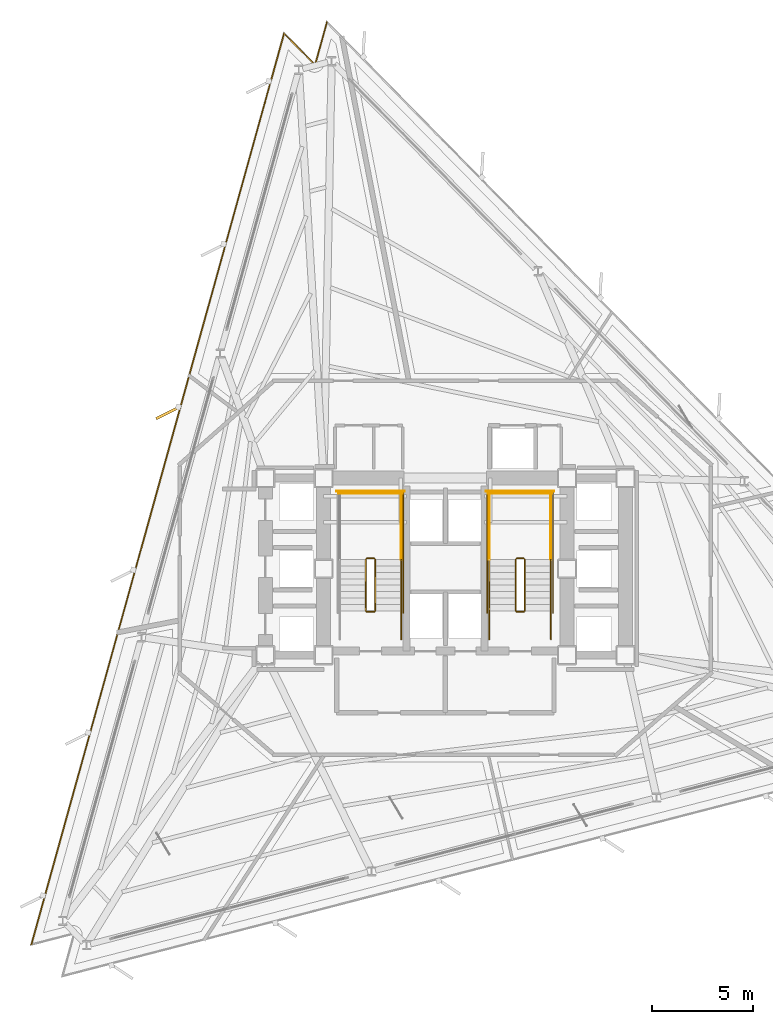
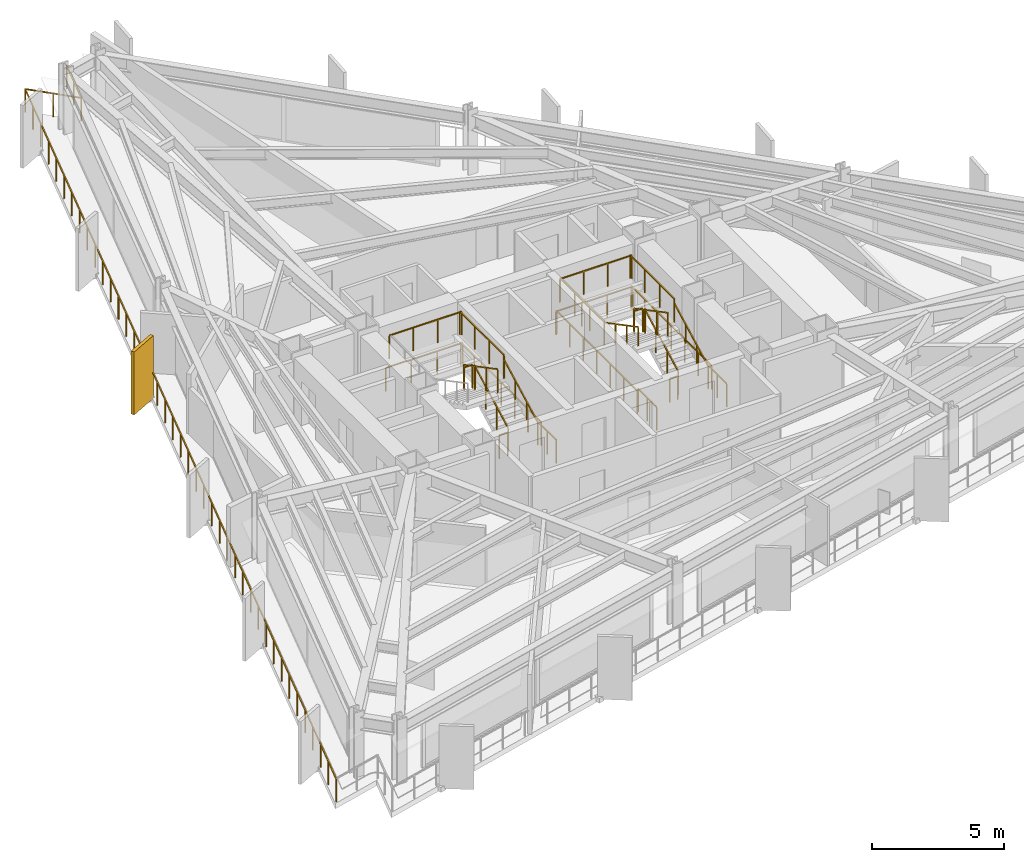
# One storey, part 10 of 11: 25 railings, 1 shading device.
"""IFC4 building model written with IfcOpenShell, lengths in metres."""

from ifc_helpers import new_model, si_unit, direction, frame, origin, origin_2d, place, context, subcontext, project, spatial, rectangle, extrude, material, layer, layer_set, type_object, element, save


model = new_model("IFC4")

# Units and contexts
model_context = context("Model", 3, precision=1e-05, world=origin(), true_north=direction((0.0, 1.0)))
body_context = subcontext(model_context, "Body", "Model", "MODEL_VIEW")
ifc_project = project(units=[si_unit("LENGTHUNIT", "METRE"), si_unit("AREAUNIT", "SQUARE_METRE"), si_unit("VOLUMEUNIT", "CUBIC_METRE"), si_unit("PLANEANGLEUNIT", "RADIAN"), si_unit("MASSUNIT", "GRAM", prefix="KILO")], contexts=[model_context])

# Site, building, storey
site_placement = place(None, origin())
site = spatial("IfcSite", under=ifc_project, at=site_placement, CompositionType="ELEMENT")
building_placement = place(site_placement, origin())
building = spatial("IfcBuilding", under=site, at=building_placement, Name="Rocaltana Carrier Exchange", CompositionType="ELEMENT")
storey_placement = place(building_placement, frame((0.0, 0.0, 79.52001953125)))
storey = spatial("IfcBuildingStorey", under=building, at=storey_placement, Name="L24", CompositionType="ELEMENT", Elevation=79.52001953125)

# Railings
ifc_material_1 = material(Name="Brushed Architectural Stainless Tube", Category="steel")
ifc_layer_1 = layer(ifc_material_1, 0.048095703125)
ifc_layer_set_1 = layer_set([ifc_layer_1], Name="Brushed Architectural Stainless Tube")
railing_type_1 = type_object("IfcRailingType", Name="Stair Wall Handrail 920", PredefinedType="HANDRAIL", material=ifc_layer_set_1)
for number, where, name in (
    (1, (-2.18994140625, -2.10009765625, 0.1689453125), "L24 ST-1 stair handrail 1"),
    (2, (5.25, -2.10009765625, 0.1689453125), "L24 ST-2 stair handrail 1"),
):
    element("IfcRailing", number, at=place(storey_placement, frame(where)), inside=storey, type_object=railing_type_1, Name=name, PredefinedType="HANDRAIL", context=body_context, shape_type="SweptSolid", body=[
        extrude(rectangle(XDim=0.048095703125, YDim=0.048095703125, at=origin_2d()), frame((0.0, 0.0, 0.8759765625), z_axis=(0.0, 0.884394423565, 0.466740295633), x_axis=(-1.0, 0.0, 0.0)), (0.0, 0.0, 1.0), 2.894775390625),
        extrude(rectangle(XDim=0.0419921875, YDim=0.0419921875, at=origin_2d()), origin(), (0.0, 0.0, 1.0), 0.851806640625),
        extrude(rectangle(XDim=0.0419921875, YDim=0.0419921875, at=origin_2d()), frame((0.0, 0.853271484375, 0.450439453125)), (0.0, 0.0, 1.0), 0.851806640625),
        extrude(rectangle(XDim=0.0419921875, YDim=0.0419921875, at=origin_2d()), frame((0.0, 1.706787109375, 0.900634765625)), (0.0, 0.0, 1.0), 0.851806640625),
        extrude(rectangle(XDim=0.0419921875, YDim=0.0419921875, at=origin_2d()), frame((0.0, 2.56005859375, 1.35107421875)), (0.0, 0.0, 1.0), 0.851806640625),
    ])
railing_1_placement = place(storey_placement, frame((2.18994140625, 0.4599609375, 1.68896484375)))
element("IfcRailing", 3, at=railing_1_placement, inside=storey, type_object=railing_type_1, Name="L24 ST-2 stair handrail 2", PredefinedType="HANDRAIL", context=body_context, shape_type="SweptSolid", body=[
    extrude(rectangle(XDim=0.048095703125, YDim=0.048095703125, at=origin_2d()), frame((0.0, 0.0, 0.8759765625), z_axis=(0.0, -0.884394423565, 0.466740295633), x_axis=(1.0, 0.0, 0.0)), (0.0, 0.0, 1.0), 2.894775390625),
    extrude(rectangle(XDim=0.0419921875, YDim=0.0419921875, at=origin_2d()), origin(), (0.0, 0.0, 1.0), 0.851806640625),
    extrude(rectangle(XDim=0.0419921875, YDim=0.0419921875, at=origin_2d()), frame((0.0, -0.853271484375, 0.450439453125)), (0.0, 0.0, 1.0), 0.851806640625),
    extrude(rectangle(XDim=0.0419921875, YDim=0.0419921875, at=origin_2d()), frame((0.0, -1.706787109375, 0.900634765625)), (0.0, 0.0, 1.0), 0.851806640625),
    extrude(rectangle(XDim=0.0419921875, YDim=0.0419921875, at=origin_2d()), frame((0.0, -2.56005859375, 1.35107421875)), (0.0, 0.0, 1.0), 0.851806640625),
])
ifc_material_2 = material(Name="Powder-Coated Aluminium 6063-T6", Category="aluminium")
ifc_layer_2 = layer(ifc_material_2, 0.048095703125)
ifc_layer_set_2 = layer_set([ifc_layer_2], Name="Powder-Coated Aluminium 6063-T6")
railing_type_2 = type_object("IfcRailingType", Name="Stair Well Guardrail 1100", PredefinedType="GUARDRAIL", material=ifc_layer_set_2)
railing_2_placement = place(storey_placement, frame((-3.489990234375, -2.10009765625, 0.1689453125)))
element("IfcRailing", 4, at=railing_2_placement, inside=storey, type_object=railing_type_2, Name="L24 ST-1 stair guard 1", PredefinedType="GUARDRAIL", context=body_context, shape_type="SweptSolid", body=[
    extrude(rectangle(XDim=0.048095703125, YDim=0.048095703125, at=origin_2d()), frame((0.0, 0.0, 1.076171875), z_axis=(0.0, 0.884394423565, 0.466740295633), x_axis=(-1.0, 0.0, 0.0)), (0.0, 0.0, 1.0), 2.894775390625),
    extrude(rectangle(XDim=0.0419921875, YDim=0.0419921875, at=origin_2d()), origin(), (0.0, 0.0, 1.0), 1.052001953125),
    extrude(rectangle(XDim=0.0419921875, YDim=0.0419921875, at=origin_2d()), frame((0.0, 0.853271484375, 0.450439453125)), (0.0, 0.0, 1.0), 1.052001953125),
    extrude(rectangle(XDim=0.0419921875, YDim=0.0419921875, at=origin_2d()), frame((0.0, 1.706787109375, 0.900634765625)), (0.0, 0.0, 1.0), 1.052001953125),
    extrude(rectangle(XDim=0.0419921875, YDim=0.0419921875, at=origin_2d()), frame((0.0, 2.56005859375, 1.35107421875)), (0.0, 0.0, 1.0), 1.052001953125),
])
railing_3_placement = place(storey_placement, frame((-3.5400390625, 0.510009765625, 1.52001953125)))
element("IfcRailing", 5, at=railing_3_placement, inside=storey, type_object=railing_type_2, Name="L24 ST-1 stair guard 2", PredefinedType="GUARDRAIL", context=body_context, shape_type="SweptSolid", body=[
    extrude(rectangle(XDim=0.048095703125, YDim=0.048095703125, at=origin_2d()), frame((0.0, 0.0, 1.076171875), z_axis=(-1.0, 0.0, 0.0), x_axis=(0.0, -1.0, 0.0)), (0.0, 0.0, 1.0), 0.35986328125),
    extrude(rectangle(XDim=0.0419921875, YDim=0.0419921875, at=origin_2d()), origin(), (0.0, 0.0, 1.0), 1.052001953125),
    extrude(rectangle(XDim=0.0419921875, YDim=0.0419921875, at=origin_2d()), frame((-0.35986328125, 0.0, 0.0)), (0.0, 0.0, 1.0), 1.052001953125),
])
railing_4_placement = place(storey_placement, frame((-2.18994140625, 0.4599609375, 1.52001953125)))
element("IfcRailing", 6, at=railing_4_placement, inside=storey, type_object=railing_type_2, Name="L24 ST-1 stair guard 3", PredefinedType="GUARDRAIL", context=body_context, shape_type="SweptSolid", body=[
    extrude(rectangle(XDim=0.048095703125, YDim=0.048095703125, at=origin_2d()), frame((0.0, 0.0, 1.076171875), z_axis=(0.0, 1.0, 0.0), x_axis=(-1.0, 0.0, 0.0)), (0.0, 0.0, 1.0), 3.340087890625),
    extrude(rectangle(XDim=0.0419921875, YDim=0.0419921875, at=origin_2d()), origin(), (0.0, 0.0, 1.0), 1.052001953125),
    extrude(rectangle(XDim=0.0419921875, YDim=0.0419921875, at=origin_2d()), frame((0.0, 1.11328125, 0.0)), (0.0, 0.0, 1.0), 1.052001953125),
    extrude(rectangle(XDim=0.0419921875, YDim=0.0419921875, at=origin_2d()), frame((0.0, 2.226806640625, 0.0)), (0.0, 0.0, 1.0), 1.052001953125),
    extrude(rectangle(XDim=0.0419921875, YDim=0.0419921875, at=origin_2d()), frame((0.0, 3.340087890625, 0.0)), (0.0, 0.0, 1.0), 1.052001953125),
])
railing_5_placement = place(storey_placement, frame((-2.139892578125, 3.75, 1.52001953125)))
element("IfcRailing", 7, at=railing_5_placement, inside=storey, type_object=railing_type_2, Name="L24 ST-1 stair guard 5", PredefinedType="GUARDRAIL", context=body_context, shape_type="SweptSolid", body=[
    extrude(rectangle(XDim=0.048095703125, YDim=0.048095703125, at=origin_2d()), frame((0.0, 0.0, 1.076171875), z_axis=(-1.0, 0.0, 0.0), x_axis=(0.0, -1.0, 0.0)), (0.0, 0.0, 1.0), 3.16015625),
    extrude(rectangle(XDim=0.0419921875, YDim=0.0419921875, at=origin_2d()), origin(), (0.0, 0.0, 1.0), 1.052001953125),
    extrude(rectangle(XDim=0.0419921875, YDim=0.0419921875, at=origin_2d()), frame((-1.053466796875, 0.0, 0.0)), (0.0, 0.0, 1.0), 1.052001953125),
    extrude(rectangle(XDim=0.0419921875, YDim=0.0419921875, at=origin_2d()), frame((-2.106689453125, 0.0, 0.0)), (0.0, 0.0, 1.0), 1.052001953125),
    extrude(rectangle(XDim=0.0419921875, YDim=0.0419921875, at=origin_2d()), frame((-3.16015625, 0.0, 0.0)), (0.0, 0.0, 1.0), 1.052001953125),
])
railing_6_placement = place(storey_placement, frame((-3.949951171875, 0.4599609375, 1.68896484375)))
element("IfcRailing", 8, at=railing_6_placement, inside=storey, type_object=railing_type_2, Name="L24 ST-1 stair guard 6", PredefinedType="GUARDRAIL", context=body_context, shape_type="SweptSolid", body=[
    extrude(rectangle(XDim=0.048095703125, YDim=0.048095703125, at=origin_2d()), frame((0.0, 0.0, 1.076171875), z_axis=(0.0, -0.884394423565, 0.466740295633), x_axis=(1.0, 0.0, 0.0)), (0.0, 0.0, 1.0), 2.894775390625),
    extrude(rectangle(XDim=0.0419921875, YDim=0.0419921875, at=origin_2d()), origin(), (0.0, 0.0, 1.0), 1.052001953125),
    extrude(rectangle(XDim=0.0419921875, YDim=0.0419921875, at=origin_2d()), frame((0.0, -0.853271484375, 0.450439453125)), (0.0, 0.0, 1.0), 1.052001953125),
    extrude(rectangle(XDim=0.0419921875, YDim=0.0419921875, at=origin_2d()), frame((0.0, -1.706787109375, 0.900634765625)), (0.0, 0.0, 1.0), 1.052001953125),
    extrude(rectangle(XDim=0.0419921875, YDim=0.0419921875, at=origin_2d()), frame((0.0, -2.56005859375, 1.35107421875)), (0.0, 0.0, 1.0), 1.052001953125),
])
railing_7_placement = place(storey_placement, frame((-3.5400390625, -2.14990234375, 0.0)))
element("IfcRailing", 9, at=railing_7_placement, inside=storey, type_object=railing_type_2, Name="L24 ST-1 stair guard 7", PredefinedType="GUARDRAIL", context=body_context, shape_type="SweptSolid", body=[
    extrude(rectangle(XDim=0.048095703125, YDim=0.048095703125, at=origin_2d()), frame((0.0, 0.0, 1.076171875), z_axis=(-1.0, 0.0, 0.0), x_axis=(0.0, -1.0, 0.0)), (0.0, 0.0, 1.0), 0.35986328125),
    extrude(rectangle(XDim=0.0419921875, YDim=0.0419921875, at=origin_2d()), origin(), (0.0, 0.0, 1.0), 1.052001953125),
    extrude(rectangle(XDim=0.0419921875, YDim=0.0419921875, at=origin_2d()), frame((-0.35986328125, 0.0, 0.0)), (0.0, 0.0, 1.0), 1.052001953125),
])
railing_8_placement = place(storey_placement, frame((-2.18994140625, -3.5, 0.0)))
element("IfcRailing", 10, at=railing_8_placement, inside=storey, type_object=railing_type_2, Name="L24 ST-1 stair guard 8", PredefinedType="GUARDRAIL", context=body_context, shape_type="SweptSolid", body=[
    extrude(rectangle(XDim=0.048095703125, YDim=0.048095703125, at=origin_2d()), frame((0.0, 0.0, 1.076171875), z_axis=(0.0, 1.0, 0.0), x_axis=(-1.0, 0.0, 0.0)), (0.0, 0.0, 1.0), 1.39990234375),
    extrude(rectangle(XDim=0.0419921875, YDim=0.0419921875, at=origin_2d()), origin(), (0.0, 0.0, 1.0), 1.052001953125),
    extrude(rectangle(XDim=0.0419921875, YDim=0.0419921875, at=origin_2d()), frame((0.0, 0.699951171875, 0.0)), (0.0, 0.0, 1.0), 1.052001953125),
    extrude(rectangle(XDim=0.0419921875, YDim=0.0419921875, at=origin_2d()), frame((0.0, 1.39990234375, 0.0)), (0.0, 0.0, 1.0), 1.052001953125),
])
railing_9_placement = place(storey_placement, frame((-2.090087890625, -2.199951171875, 0.0)))
element("IfcRailing", 11, at=railing_9_placement, inside=storey, type_object=railing_type_2, Name="L24 ST-1 stair guard 10", PredefinedType="GUARDRAIL", context=body_context, shape_type="SweptSolid", body=[
    extrude(rectangle(XDim=0.048095703125, YDim=0.048095703125, at=origin_2d()), frame((0.0, 0.0, 1.076171875), z_axis=(0.0, 1.0, 0.0), x_axis=(-1.0, 0.0, 0.0)), (0.0, 0.0, 1.0), 6.099853515625),
    extrude(rectangle(XDim=0.0419921875, YDim=0.0419921875, at=origin_2d()), origin(), (0.0, 0.0, 1.0), 1.052001953125),
    extrude(rectangle(XDim=0.0419921875, YDim=0.0419921875, at=origin_2d()), frame((0.0, 1.0166015625, 0.0)), (0.0, 0.0, 1.0), 1.052001953125),
    extrude(rectangle(XDim=0.0419921875, YDim=0.0419921875, at=origin_2d()), frame((0.0, 2.033203125, 0.0)), (0.0, 0.0, 1.0), 1.052001953125),
    extrude(rectangle(XDim=0.0419921875, YDim=0.0419921875, at=origin_2d()), frame((0.0, 3.0498046875, 0.0)), (0.0, 0.0, 1.0), 1.052001953125),
    extrude(rectangle(XDim=0.0419921875, YDim=0.0419921875, at=origin_2d()), frame((0.0, 4.066650390625, 0.0)), (0.0, 0.0, 1.0), 1.052001953125),
    extrude(rectangle(XDim=0.0419921875, YDim=0.0419921875, at=origin_2d()), frame((0.0, 5.083251953125, 0.0)), (0.0, 0.0, 1.0), 1.052001953125),
    extrude(rectangle(XDim=0.0419921875, YDim=0.0419921875, at=origin_2d()), frame((0.0, 6.099853515625, 0.0)), (0.0, 0.0, 1.0), 1.052001953125),
])
railing_10_placement = place(storey_placement, frame((-2.0400390625, 3.85009765625, 0.0)))
element("IfcRailing", 12, at=railing_10_placement, inside=storey, type_object=railing_type_2, Name="L24 ST-1 stair guard 12", PredefinedType="GUARDRAIL", context=body_context, shape_type="SweptSolid", body=[
    extrude(rectangle(XDim=0.048095703125, YDim=0.048095703125, at=origin_2d()), frame((0.0, 0.0, 1.076171875), z_axis=(-1.0, 0.0, 0.0), x_axis=(0.0, -1.0, 0.0)), (0.0, 0.0, 1.0), 3.35986328125),
    extrude(rectangle(XDim=0.0419921875, YDim=0.0419921875, at=origin_2d()), origin(), (0.0, 0.0, 1.0), 1.052001953125),
    extrude(rectangle(XDim=0.0419921875, YDim=0.0419921875, at=origin_2d()), frame((-1.119873046875, 0.0, 0.0)), (0.0, 0.0, 1.0), 1.052001953125),
    extrude(rectangle(XDim=0.0419921875, YDim=0.0419921875, at=origin_2d()), frame((-2.239990234375, 0.0, 0.0)), (0.0, 0.0, 1.0), 1.052001953125),
    extrude(rectangle(XDim=0.0419921875, YDim=0.0419921875, at=origin_2d()), frame((-3.35986328125, 0.0, 0.0)), (0.0, 0.0, 1.0), 1.052001953125),
])
railing_11_placement = place(storey_placement, frame((3.949951171875, -2.10009765625, 0.1689453125)))
element("IfcRailing", 13, at=railing_11_placement, inside=storey, type_object=railing_type_2, Name="L24 ST-2 stair guard 1", PredefinedType="GUARDRAIL", context=body_context, shape_type="SweptSolid", body=[
    extrude(rectangle(XDim=0.048095703125, YDim=0.048095703125, at=origin_2d()), frame((0.0, 0.0, 1.076171875), z_axis=(0.0, 0.884394423565, 0.466740295633), x_axis=(-1.0, 0.0, 0.0)), (0.0, 0.0, 1.0), 2.894775390625),
    extrude(rectangle(XDim=0.0419921875, YDim=0.0419921875, at=origin_2d()), origin(), (0.0, 0.0, 1.0), 1.052001953125),
    extrude(rectangle(XDim=0.0419921875, YDim=0.0419921875, at=origin_2d()), frame((0.0, 0.853271484375, 0.450439453125)), (0.0, 0.0, 1.0), 1.052001953125),
    extrude(rectangle(XDim=0.0419921875, YDim=0.0419921875, at=origin_2d()), frame((0.0, 1.706787109375, 0.900634765625)), (0.0, 0.0, 1.0), 1.052001953125),
    extrude(rectangle(XDim=0.0419921875, YDim=0.0419921875, at=origin_2d()), frame((0.0, 2.56005859375, 1.35107421875)), (0.0, 0.0, 1.0), 1.052001953125),
])
railing_12_placement = place(storey_placement, frame((3.89990234375, 0.510009765625, 1.52001953125)))
element("IfcRailing", 14, at=railing_12_placement, inside=storey, type_object=railing_type_2, Name="L24 ST-2 stair guard 2", PredefinedType="GUARDRAIL", context=body_context, shape_type="SweptSolid", body=[
    extrude(rectangle(XDim=0.048095703125, YDim=0.048095703125, at=origin_2d()), frame((0.0, 0.0, 1.076171875), z_axis=(-1.0, 0.0, 0.0), x_axis=(0.0, -1.0, 0.0)), (0.0, 0.0, 1.0), 0.35986328125),
    extrude(rectangle(XDim=0.0419921875, YDim=0.0419921875, at=origin_2d()), origin(), (0.0, 0.0, 1.0), 1.052001953125),
    extrude(rectangle(XDim=0.0419921875, YDim=0.0419921875, at=origin_2d()), frame((-0.35986328125, 0.0, 0.0)), (0.0, 0.0, 1.0), 1.052001953125),
])
for number, where, name in (
    (15, (5.25, 0.4599609375, 1.52001953125), "L24 ST-2 stair guard 3"),
    (16, (2.18994140625, 0.4599609375, 1.52001953125), "L24 ST-2 stair guard 4"),
):
    element("IfcRailing", number, at=place(storey_placement, frame(where)), inside=storey, type_object=railing_type_2, Name=name, PredefinedType="GUARDRAIL", context=body_context, shape_type="SweptSolid", body=[
        extrude(rectangle(XDim=0.048095703125, YDim=0.048095703125, at=origin_2d()), frame((0.0, 0.0, 1.076171875), z_axis=(0.0, 1.0, 0.0), x_axis=(-1.0, 0.0, 0.0)), (0.0, 0.0, 1.0), 3.340087890625),
        extrude(rectangle(XDim=0.0419921875, YDim=0.0419921875, at=origin_2d()), origin(), (0.0, 0.0, 1.0), 1.052001953125),
        extrude(rectangle(XDim=0.0419921875, YDim=0.0419921875, at=origin_2d()), frame((0.0, 1.11328125, 0.0)), (0.0, 0.0, 1.0), 1.052001953125),
        extrude(rectangle(XDim=0.0419921875, YDim=0.0419921875, at=origin_2d()), frame((0.0, 2.226806640625, 0.0)), (0.0, 0.0, 1.0), 1.052001953125),
        extrude(rectangle(XDim=0.0419921875, YDim=0.0419921875, at=origin_2d()), frame((0.0, 3.340087890625, 0.0)), (0.0, 0.0, 1.0), 1.052001953125),
    ])
railing_13_placement = place(storey_placement, frame((5.300048828125, 3.75, 1.52001953125)))
element("IfcRailing", 17, at=railing_13_placement, inside=storey, type_object=railing_type_2, Name="L24 ST-2 stair guard 5", PredefinedType="GUARDRAIL", context=body_context, shape_type="SweptSolid", body=[
    extrude(rectangle(XDim=0.048095703125, YDim=0.048095703125, at=origin_2d()), frame((0.0, 0.0, 1.076171875), z_axis=(-1.0, 0.0, 0.0), x_axis=(0.0, -1.0, 0.0)), (0.0, 0.0, 1.0), 3.16015625),
    extrude(rectangle(XDim=0.0419921875, YDim=0.0419921875, at=origin_2d()), origin(), (0.0, 0.0, 1.0), 1.052001953125),
    extrude(rectangle(XDim=0.0419921875, YDim=0.0419921875, at=origin_2d()), frame((-1.053466796875, 0.0, 0.0)), (0.0, 0.0, 1.0), 1.052001953125),
    extrude(rectangle(XDim=0.0419921875, YDim=0.0419921875, at=origin_2d()), frame((-2.106689453125, 0.0, 0.0)), (0.0, 0.0, 1.0), 1.052001953125),
    extrude(rectangle(XDim=0.0419921875, YDim=0.0419921875, at=origin_2d()), frame((-3.16015625, 0.0, 0.0)), (0.0, 0.0, 1.0), 1.052001953125),
])
railing_14_placement = place(storey_placement, frame((3.489990234375, 0.4599609375, 1.68896484375)))
element("IfcRailing", 18, at=railing_14_placement, inside=storey, type_object=railing_type_2, Name="L24 ST-2 stair guard 6", PredefinedType="GUARDRAIL", context=body_context, shape_type="SweptSolid", body=[
    extrude(rectangle(XDim=0.048095703125, YDim=0.048095703125, at=origin_2d()), frame((0.0, 0.0, 1.076171875), z_axis=(0.0, -0.884394423565, 0.466740295633), x_axis=(1.0, 0.0, 0.0)), (0.0, 0.0, 1.0), 2.894775390625),
    extrude(rectangle(XDim=0.0419921875, YDim=0.0419921875, at=origin_2d()), origin(), (0.0, 0.0, 1.0), 1.052001953125),
    extrude(rectangle(XDim=0.0419921875, YDim=0.0419921875, at=origin_2d()), frame((0.0, -0.853271484375, 0.450439453125)), (0.0, 0.0, 1.0), 1.052001953125),
    extrude(rectangle(XDim=0.0419921875, YDim=0.0419921875, at=origin_2d()), frame((0.0, -1.706787109375, 0.900634765625)), (0.0, 0.0, 1.0), 1.052001953125),
    extrude(rectangle(XDim=0.0419921875, YDim=0.0419921875, at=origin_2d()), frame((0.0, -2.56005859375, 1.35107421875)), (0.0, 0.0, 1.0), 1.052001953125),
])
railing_15_placement = place(storey_placement, frame((3.89990234375, -2.14990234375, 0.0)))
element("IfcRailing", 19, at=railing_15_placement, inside=storey, type_object=railing_type_2, Name="L24 ST-2 stair guard 7", PredefinedType="GUARDRAIL", context=body_context, shape_type="SweptSolid", body=[
    extrude(rectangle(XDim=0.048095703125, YDim=0.048095703125, at=origin_2d()), frame((0.0, 0.0, 1.076171875), z_axis=(-1.0, 0.0, 0.0), x_axis=(0.0, -1.0, 0.0)), (0.0, 0.0, 1.0), 0.35986328125),
    extrude(rectangle(XDim=0.0419921875, YDim=0.0419921875, at=origin_2d()), origin(), (0.0, 0.0, 1.0), 1.052001953125),
    extrude(rectangle(XDim=0.0419921875, YDim=0.0419921875, at=origin_2d()), frame((-0.35986328125, 0.0, 0.0)), (0.0, 0.0, 1.0), 1.052001953125),
])
for number, where, name in (
    (20, (5.25, -3.5, 0.0), "L24 ST-2 stair guard 8"),
    (21, (2.18994140625, -3.5, 0.0), "L24 ST-2 stair guard 9"),
):
    element("IfcRailing", number, at=place(storey_placement, frame(where)), inside=storey, type_object=railing_type_2, Name=name, PredefinedType="GUARDRAIL", context=body_context, shape_type="SweptSolid", body=[
        extrude(rectangle(XDim=0.048095703125, YDim=0.048095703125, at=origin_2d()), frame((0.0, 0.0, 1.076171875), z_axis=(0.0, 1.0, 0.0), x_axis=(-1.0, 0.0, 0.0)), (0.0, 0.0, 1.0), 1.39990234375),
        extrude(rectangle(XDim=0.0419921875, YDim=0.0419921875, at=origin_2d()), origin(), (0.0, 0.0, 1.0), 1.052001953125),
        extrude(rectangle(XDim=0.0419921875, YDim=0.0419921875, at=origin_2d()), frame((0.0, 0.699951171875, 0.0)), (0.0, 0.0, 1.0), 1.052001953125),
        extrude(rectangle(XDim=0.0419921875, YDim=0.0419921875, at=origin_2d()), frame((0.0, 1.39990234375, 0.0)), (0.0, 0.0, 1.0), 1.052001953125),
    ])
for number, where, name in (
    (22, (5.35009765625, -2.199951171875, 0.0), "L24 ST-2 stair guard 10"),
    (23, (2.090087890625, -2.199951171875, 0.0), "L24 ST-2 stair guard 11"),
):
    element("IfcRailing", number, at=place(storey_placement, frame(where)), inside=storey, type_object=railing_type_2, Name=name, PredefinedType="GUARDRAIL", context=body_context, shape_type="SweptSolid", body=[
        extrude(rectangle(XDim=0.048095703125, YDim=0.048095703125, at=origin_2d()), frame((0.0, 0.0, 1.076171875), z_axis=(0.0, 1.0, 0.0), x_axis=(-1.0, 0.0, 0.0)), (0.0, 0.0, 1.0), 6.099853515625),
        extrude(rectangle(XDim=0.0419921875, YDim=0.0419921875, at=origin_2d()), origin(), (0.0, 0.0, 1.0), 1.052001953125),
        extrude(rectangle(XDim=0.0419921875, YDim=0.0419921875, at=origin_2d()), frame((0.0, 1.0166015625, 0.0)), (0.0, 0.0, 1.0), 1.052001953125),
        extrude(rectangle(XDim=0.0419921875, YDim=0.0419921875, at=origin_2d()), frame((0.0, 2.033203125, 0.0)), (0.0, 0.0, 1.0), 1.052001953125),
        extrude(rectangle(XDim=0.0419921875, YDim=0.0419921875, at=origin_2d()), frame((0.0, 3.0498046875, 0.0)), (0.0, 0.0, 1.0), 1.052001953125),
        extrude(rectangle(XDim=0.0419921875, YDim=0.0419921875, at=origin_2d()), frame((0.0, 4.066650390625, 0.0)), (0.0, 0.0, 1.0), 1.052001953125),
        extrude(rectangle(XDim=0.0419921875, YDim=0.0419921875, at=origin_2d()), frame((0.0, 5.083251953125, 0.0)), (0.0, 0.0, 1.0), 1.052001953125),
        extrude(rectangle(XDim=0.0419921875, YDim=0.0419921875, at=origin_2d()), frame((0.0, 6.099853515625, 0.0)), (0.0, 0.0, 1.0), 1.052001953125),
    ])
railing_16_placement = place(storey_placement, frame((5.39990234375, 3.85009765625, 0.0)))
element("IfcRailing", 24, at=railing_16_placement, inside=storey, type_object=railing_type_2, Name="L24 ST-2 stair guard 12", PredefinedType="GUARDRAIL", context=body_context, shape_type="SweptSolid", body=[
    extrude(rectangle(XDim=0.048095703125, YDim=0.048095703125, at=origin_2d()), frame((0.0, 0.0, 1.076171875), z_axis=(-1.0, 0.0, 0.0), x_axis=(0.0, -1.0, 0.0)), (0.0, 0.0, 1.0), 3.35986328125),
    extrude(rectangle(XDim=0.0419921875, YDim=0.0419921875, at=origin_2d()), origin(), (0.0, 0.0, 1.0), 1.052001953125),
    extrude(rectangle(XDim=0.0419921875, YDim=0.0419921875, at=origin_2d()), frame((-1.119873046875, 0.0, 0.0)), (0.0, 0.0, 1.0), 1.052001953125),
    extrude(rectangle(XDim=0.0419921875, YDim=0.0419921875, at=origin_2d()), frame((-2.239990234375, 0.0, 0.0)), (0.0, 0.0, 1.0), 1.052001953125),
    extrude(rectangle(XDim=0.0419921875, YDim=0.0419921875, at=origin_2d()), frame((-3.35986328125, 0.0, 0.0)), (0.0, 0.0, 1.0), 1.052001953125),
])

# Shading device
ifc_material_3 = material(Name="Honed Bogota Sandstone & Concrete C45/55", Category="masonry")
ifc_layer_3 = layer(ifc_material_3, 0.139892578125)
ifc_layer_set_3 = layer_set([ifc_layer_3], Name="Honed Bogota Sandstone & Concrete C45/55")
shading_device_type = type_object("IfcShadingDeviceType", Name="Vertical Sandstone Shading Fin 1320x140", PredefinedType="USERDEFINED", material=ifc_layer_set_3)
shading_device_placement = place(storey_placement, frame((-13.786376953125, 7.751220703125, -0.1201171875), z_axis=(0.0, 0.0, 1.0), x_axis=(-0.894934361602, -0.44619781311, 0.0)))
element("IfcShadingDevice", 25, at=shading_device_placement, inside=storey, type_object=shading_device_type, Name="L24 Sandstone Vertical Fin F2-03", ObjectType="FIN", PredefinedType="USERDEFINED", context=body_context, shape_type="SweptSolid", body=[
    extrude(rectangle(XDim=1.320068359375, YDim=0.139892578125, at=origin_2d()), origin(), (0.0, 0.0, 1.0), 2.907958984375),
])

# Railing
ifc_material_4 = material(Name="Powder-Coated Aluminium 6063-T6", Category="aluminium")
ifc_layer_4 = layer(ifc_material_4, 0.06005859375)
ifc_layer_set_4 = layer_set([ifc_layer_4], Name="Powder-Coated Aluminium 6063-T6")
railing_type_3 = type_object("IfcRailingType", Name="Wind-Floor & Terrace Perimeter Guardrail 1100", PredefinedType="GUARDRAIL", material=ifc_layer_set_4)
railing_17_placement = place(storey_placement, frame((-20.5751953125, -18.677001953125, 0.0)))
element("IfcRailing", 26, at=railing_17_placement, inside=storey, type_object=railing_type_3, Name="L24 Perimeter Balcony Guardrail 2", PredefinedType="GUARDRAIL", context=body_context, shape_type="SweptSolid", body=[
    extrude(rectangle(XDim=0.048095703125, YDim=0.048095703125, at=origin_2d()), frame((0.0, 0.0, 1.076171875), z_axis=(0.267237621402, 0.963630662499, 0.0), x_axis=(-0.963630662499, 0.267237621402, 0.0)), (0.0, 0.0, 1.0), 46.9921875),
    extrude(rectangle(XDim=0.048095703125, YDim=0.048095703125, at=origin_2d()), frame((12.55810546875, 45.283203125, 1.076171875), z_axis=(0.700920820206, -0.713239093012, 0.0), x_axis=(0.713239093012, 0.700920820206, 0.0)), (0.0, 0.0, 1.0), 2.199951171875),
    extrude(rectangle(XDim=0.048095703125, YDim=0.048095703125, at=origin_2d()), frame((14.10009765625, 43.714111328125, 1.076171875), z_axis=(0.267237446942, 0.96363071088, 0.0), x_axis=(-0.96363071088, 0.267237446942, 0.0)), (0.0, 0.0, 1.0), 2.199951171875),
    extrude(rectangle(XDim=0.0419921875, YDim=0.0419921875, at=origin_2d()), origin(), (0.0, 0.0, 1.0), 1.052001953125),
    extrude(rectangle(XDim=0.0419921875, YDim=0.0419921875, at=origin_2d()), frame((0.31396484375, 1.132080078125, 0.0)), (0.0, 0.0, 1.0), 1.052001953125),
    extrude(rectangle(XDim=0.0419921875, YDim=0.0419921875, at=origin_2d()), frame((0.6279296875, 2.26416015625, 0.0)), (0.0, 0.0, 1.0), 1.052001953125),
    extrude(rectangle(XDim=0.0419921875, YDim=0.0419921875, at=origin_2d()), frame((0.94189453125, 3.396240234375, 0.0)), (0.0, 0.0, 1.0), 1.052001953125),
    extrude(rectangle(XDim=0.0419921875, YDim=0.0419921875, at=origin_2d()), frame((1.255859375, 4.5283203125, 0.0)), (0.0, 0.0, 1.0), 1.052001953125),
    extrude(rectangle(XDim=0.0419921875, YDim=0.0419921875, at=origin_2d()), frame((1.56982421875, 5.660400390625, 0.0)), (0.0, 0.0, 1.0), 1.052001953125),
    extrude(rectangle(XDim=0.0419921875, YDim=0.0419921875, at=origin_2d()), frame((1.8837890625, 6.79248046875, 0.0)), (0.0, 0.0, 1.0), 1.052001953125),
    extrude(rectangle(XDim=0.0419921875, YDim=0.0419921875, at=origin_2d()), frame((2.19775390625, 7.924560546875, 0.0)), (0.0, 0.0, 1.0), 1.052001953125),
    extrude(rectangle(XDim=0.0419921875, YDim=0.0419921875, at=origin_2d()), frame((2.51171875, 9.056640625, 0.0)), (0.0, 0.0, 1.0), 1.052001953125),
    extrude(rectangle(XDim=0.0419921875, YDim=0.0419921875, at=origin_2d()), frame((2.82568359375, 10.188720703125, 0.0)), (0.0, 0.0, 1.0), 1.052001953125),
    extrude(rectangle(XDim=0.0419921875, YDim=0.0419921875, at=origin_2d()), frame((3.1396484375, 11.32080078125, 0.0)), (0.0, 0.0, 1.0), 1.052001953125),
    extrude(rectangle(XDim=0.0419921875, YDim=0.0419921875, at=origin_2d()), frame((3.453369140625, 12.452880859375, 0.0)), (0.0, 0.0, 1.0), 1.052001953125),
    extrude(rectangle(XDim=0.0419921875, YDim=0.0419921875, at=origin_2d()), frame((3.767333984375, 13.5849609375, 0.0)), (0.0, 0.0, 1.0), 1.052001953125),
    extrude(rectangle(XDim=0.0419921875, YDim=0.0419921875, at=origin_2d()), frame((4.081298828125, 14.717041015625, 0.0)), (0.0, 0.0, 1.0), 1.052001953125),
    extrude(rectangle(XDim=0.0419921875, YDim=0.0419921875, at=origin_2d()), frame((4.395263671875, 15.84912109375, 0.0)), (0.0, 0.0, 1.0), 1.052001953125),
    extrude(rectangle(XDim=0.0419921875, YDim=0.0419921875, at=origin_2d()), frame((4.709228515625, 16.981201171875, 0.0)), (0.0, 0.0, 1.0), 1.052001953125),
    extrude(rectangle(XDim=0.0419921875, YDim=0.0419921875, at=origin_2d()), frame((5.023193359375, 18.11328125, 0.0)), (0.0, 0.0, 1.0), 1.052001953125),
    extrude(rectangle(XDim=0.0419921875, YDim=0.0419921875, at=origin_2d()), frame((5.337158203125, 19.245361328125, 0.0)), (0.0, 0.0, 1.0), 1.052001953125),
    extrude(rectangle(XDim=0.0419921875, YDim=0.0419921875, at=origin_2d()), frame((5.651123046875, 20.37744140625, 0.0)), (0.0, 0.0, 1.0), 1.052001953125),
    extrude(rectangle(XDim=0.0419921875, YDim=0.0419921875, at=origin_2d()), frame((5.965087890625, 21.509521484375, 0.0)), (0.0, 0.0, 1.0), 1.052001953125),
    extrude(rectangle(XDim=0.0419921875, YDim=0.0419921875, at=origin_2d()), frame((6.279052734375, 22.6416015625, 0.0)), (0.0, 0.0, 1.0), 1.052001953125),
    extrude(rectangle(XDim=0.0419921875, YDim=0.0419921875, at=origin_2d()), frame((6.593017578125, 23.773681640625, 0.0)), (0.0, 0.0, 1.0), 1.052001953125),
    extrude(rectangle(XDim=0.0419921875, YDim=0.0419921875, at=origin_2d()), frame((6.906982421875, 24.90576171875, 0.0)), (0.0, 0.0, 1.0), 1.052001953125),
    extrude(rectangle(XDim=0.0419921875, YDim=0.0419921875, at=origin_2d()), frame((7.220947265625, 26.037841796875, 0.0)), (0.0, 0.0, 1.0), 1.052001953125),
    extrude(rectangle(XDim=0.0419921875, YDim=0.0419921875, at=origin_2d()), frame((7.534912109375, 27.169921875, 0.0)), (0.0, 0.0, 1.0), 1.052001953125),
    extrude(rectangle(XDim=0.0419921875, YDim=0.0419921875, at=origin_2d()), frame((7.848876953125, 28.302001953125, 0.0)), (0.0, 0.0, 1.0), 1.052001953125),
    extrude(rectangle(XDim=0.0419921875, YDim=0.0419921875, at=origin_2d()), frame((8.162841796875, 29.43408203125, 0.0)), (0.0, 0.0, 1.0), 1.052001953125),
    extrude(rectangle(XDim=0.0419921875, YDim=0.0419921875, at=origin_2d()), frame((8.476806640625, 30.566162109375, 0.0)), (0.0, 0.0, 1.0), 1.052001953125),
    extrude(rectangle(XDim=0.0419921875, YDim=0.0419921875, at=origin_2d()), frame((8.790771484375, 31.6982421875, 0.0)), (0.0, 0.0, 1.0), 1.052001953125),
    extrude(rectangle(XDim=0.0419921875, YDim=0.0419921875, at=origin_2d()), frame((9.104736328125, 32.830322265625, 0.0)), (0.0, 0.0, 1.0), 1.052001953125),
    extrude(rectangle(XDim=0.0419921875, YDim=0.0419921875, at=origin_2d()), frame((9.41845703125, 33.96240234375, 0.0)), (0.0, 0.0, 1.0), 1.052001953125),
    extrude(rectangle(XDim=0.0419921875, YDim=0.0419921875, at=origin_2d()), frame((9.732421875, 35.094482421875, 0.0)), (0.0, 0.0, 1.0), 1.052001953125),
    extrude(rectangle(XDim=0.0419921875, YDim=0.0419921875, at=origin_2d()), frame((10.04638671875, 36.2265625, 0.0)), (0.0, 0.0, 1.0), 1.052001953125),
    extrude(rectangle(XDim=0.0419921875, YDim=0.0419921875, at=origin_2d()), frame((10.3603515625, 37.358642578125, 0.0)), (0.0, 0.0, 1.0), 1.052001953125),
    extrude(rectangle(XDim=0.0419921875, YDim=0.0419921875, at=origin_2d()), frame((10.67431640625, 38.49072265625, 0.0)), (0.0, 0.0, 1.0), 1.052001953125),
    extrude(rectangle(XDim=0.0419921875, YDim=0.0419921875, at=origin_2d()), frame((10.98828125, 39.622802734375, 0.0)), (0.0, 0.0, 1.0), 1.052001953125),
    extrude(rectangle(XDim=0.0419921875, YDim=0.0419921875, at=origin_2d()), frame((11.30224609375, 40.7548828125, 0.0)), (0.0, 0.0, 1.0), 1.052001953125),
    extrude(rectangle(XDim=0.0419921875, YDim=0.0419921875, at=origin_2d()), frame((11.6162109375, 41.886962890625, 0.0)), (0.0, 0.0, 1.0), 1.052001953125),
    extrude(rectangle(XDim=0.0419921875, YDim=0.0419921875, at=origin_2d()), frame((11.93017578125, 43.01904296875, 0.0)), (0.0, 0.0, 1.0), 1.052001953125),
    extrude(rectangle(XDim=0.0419921875, YDim=0.0419921875, at=origin_2d()), frame((12.244140625, 44.151123046875, 0.0)), (0.0, 0.0, 1.0), 1.052001953125),
    extrude(rectangle(XDim=0.0419921875, YDim=0.0419921875, at=origin_2d()), frame((12.55810546875, 45.283203125, 0.0)), (0.0, 0.0, 1.0), 1.052001953125),
    extrude(rectangle(XDim=0.0419921875, YDim=0.0419921875, at=origin_2d()), frame((13.3291015625, 44.49853515625, 0.0)), (0.0, 0.0, 1.0), 1.052001953125),
    extrude(rectangle(XDim=0.0419921875, YDim=0.0419921875, at=origin_2d()), frame((14.10009765625, 43.714111328125, 0.0)), (0.0, 0.0, 1.0), 1.052001953125),
    extrude(rectangle(XDim=0.0419921875, YDim=0.0419921875, at=origin_2d()), frame((14.39404296875, 44.77392578125, 0.0)), (0.0, 0.0, 1.0), 1.052001953125),
    extrude(rectangle(XDim=0.0419921875, YDim=0.0419921875, at=origin_2d()), frame((14.68798828125, 45.833984375, 0.0)), (0.0, 0.0, 1.0), 1.052001953125),
])

save(model, "model.ifc")
